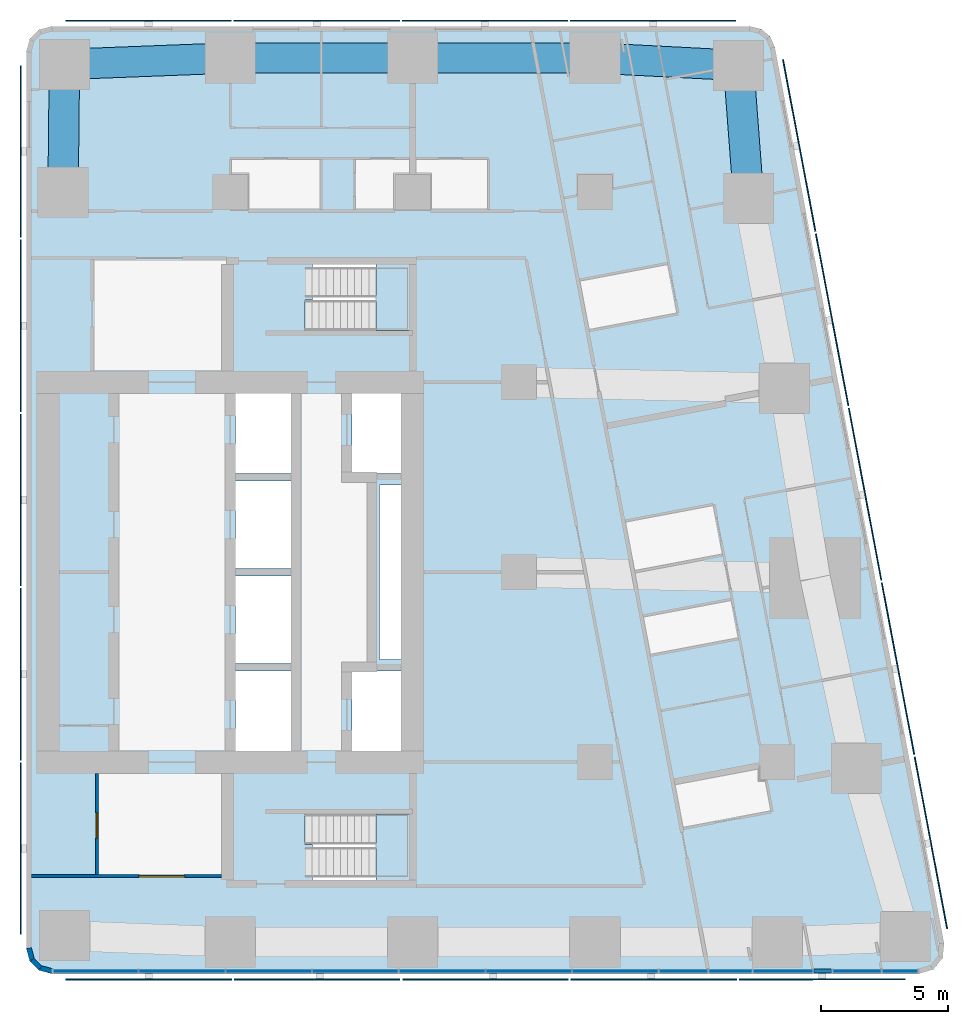
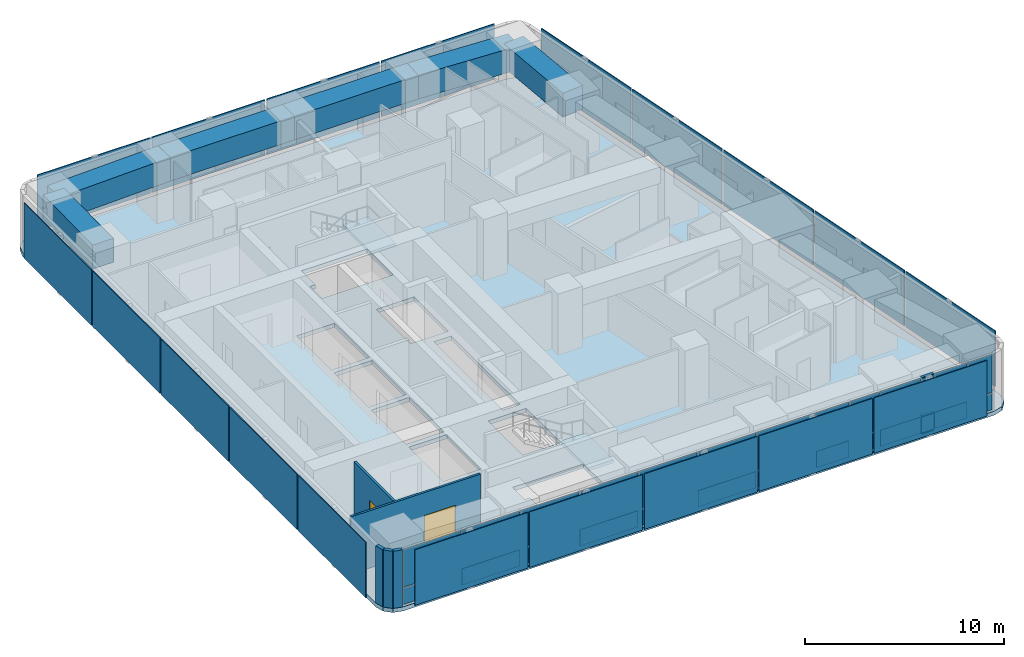
# One storey, part 4 of 11: 45 plates, 6 beams, 5 walls, 3 members, 3 slabs, 2 doors, 2 openings, 3 elements without a shape of their own.
"""IFC4 building model written with IfcOpenShell, lengths in metres."""

from ifc_helpers import new_model, si_unit, direction, frame, frame_2d, origin, origin_2d, place, context, subcontext, project, spatial, polyline, rectangle, outline, extrude, material, layer, layer_set, material_profile, profile_set, type_object, element, fill, aggregate, save


model = new_model("IFC4")

# Units and contexts
model_context = context("Model", 3, precision=1e-05, world=origin(), true_north=direction((0.0, 1.0)))
body_context = subcontext(model_context, "Body", "Model", "MODEL_VIEW")
ifc_project = project(units=[si_unit("LENGTHUNIT", "METRE"), si_unit("AREAUNIT", "SQUARE_METRE"), si_unit("VOLUMEUNIT", "CUBIC_METRE"), si_unit("PLANEANGLEUNIT", "RADIAN"), si_unit("MASSUNIT", "GRAM", prefix="KILO")], contexts=[model_context])

# Site, building, storey
site_placement = place(None, origin())
site = spatial("IfcSite", under=ifc_project, at=site_placement, CompositionType="ELEMENT")
building_placement = place(site_placement, origin())
building = spatial("IfcBuilding", under=site, at=building_placement, Name="Sheger Commons Tower", CompositionType="ELEMENT")
storey_placement = place(building_placement, frame((0.0, 0.0, 277.85009765625)))
storey = spatial("IfcBuildingStorey", under=building, at=storey_placement, Name="L71", CompositionType="ELEMENT", Elevation=277.85009765625)

# Beams
ifc_material_1 = material(Name="Concrete C50/60", Category="concrete")
ifc_material_profile_1 = material_profile(ifc_material_1, rectangle(XDim=1.199951171875, YDim=1.449951171875, at=origin_2d()), Name="RC 1200x1450")
ifc_profile_set_1 = profile_set([ifc_material_profile_1], Name="Concrete C50/60")
beam_type = type_object("IfcBeamType", Name="SPANDREL RC 1200x1450", PredefinedType="SPANDREL", material=ifc_profile_set_1)
beam_1_placement = place(storey_placement, frame((42.06396484375, 37.262939453125, 2.77490234375), z_axis=(-0.075496345854, 0.997146078447, 0.0), x_axis=(-0.997146078447, -0.075496345854, 0.0)))
element("IfcBeam", 1, at=beam_1_placement, inside=storey, type_object=beam_type, Name="Beam E/F-E/G-1.8 under L72", PredefinedType="SPANDREL", context=body_context, shape_type="SweptSolid", body=[
    extrude(rectangle(XDim=1.199951171875, YDim=1.449951171875, at=origin_2d()), origin(), (0.0, 0.0, 1.0), 5.258056640625),
])
beam_2_placement = place(storey_placement, frame((41.6669921875, 42.506103515625, 2.77490234375), z_axis=(-0.998657474351, 0.051800086124, 0.0), x_axis=(-0.051800086124, -0.998657474351, 0.0)))
element("IfcBeam", 2, at=beam_2_placement, inside=storey, type_object=beam_type, Name="Beam E/G-1.8-6/G-1.8 under L72", PredefinedType="SPANDREL", context=body_context, shape_type="SweptSolid", body=[
    extrude(rectangle(XDim=1.199951171875, YDim=1.449951171875, at=origin_2d()), origin(), (0.0, 0.0, 1.0), 5.674560546875),
])
for number, where, z_axis, x_axis, name in (
    (3, (36.0, 42.800048828125, 2.77490234375), (-1.0, 0.0, 0.0), (0.0, -1.0, 0.0), "Beam 6/G-1.8-5/G-1.8 under L72"),
    (4, (28.800048828125, 42.800048828125, 2.77490234375), (-1.0, 0.0, 0.0), (0.0, -1.0, 0.0), "Beam 5/G-1.8-4/G-1.8 under L72"),
):
    element("IfcBeam", number, at=place(storey_placement, frame(where, z_axis=z_axis, x_axis=x_axis)), inside=storey, type_object=beam_type, Name=name, PredefinedType="SPANDREL", context=body_context, shape_type="SweptSolid", body=[
        extrude(rectangle(XDim=1.199951171875, YDim=1.449951171875, at=origin_2d()), origin(), (0.0, 0.0, 1.0), 7.199951171875),
    ])
beam_3_placement = place(storey_placement, frame((21.60009765625, 42.800048828125, 2.77490234375), z_axis=(-0.999247181966, -0.038795223079, 0.0), x_axis=(0.038795223079, -0.999247181966, 0.0)))
element("IfcBeam", 5, at=beam_3_placement, inside=storey, type_object=beam_type, Name="Beam 4/G-1.8-3/G-1.8 under L72", PredefinedType="SPANDREL", context=body_context, shape_type="SweptSolid", body=[
    extrude(rectangle(XDim=1.199951171875, YDim=1.449951171875, at=origin_2d()), origin(), (0.0, 0.0, 1.0), 6.551025390625),
])
beam_4_placement = place(storey_placement, frame((15.053955078125, 42.5458984375, 2.77490234375), z_axis=(-0.010692247282, -0.99994283629, 0.0), x_axis=(0.99994283629, -0.010692247282, 0.0)))
element("IfcBeam", 6, at=beam_4_placement, inside=storey, type_object=beam_type, Name="Beam 3/G-1.8-3/F under L72", PredefinedType="SPANDREL", context=body_context, shape_type="SweptSolid", body=[
    extrude(rectangle(XDim=1.199951171875, YDim=1.449951171875, at=origin_2d()), origin(), (0.0, 0.0, 1.0), 5.046142578125),
])

# Curtain wall, members, plates
ifc_material_2 = material(Name="Black aluminium curtain wall, dark tinted glazing", Category="aluminium")
curtain_wall_type = type_object("IfcCurtainWallType", Name="CURTAIN WALL CW5 SOUTH GALLERY", PredefinedType="USERDEFINED", material=ifc_material_2)
curtain_wall_placement = place(storey_placement, origin())
curtain_wall = element("IfcCurtainWall", 7, at=curtain_wall_placement, inside=storey, type_object=curtain_wall_type, Name="Curtain Wall Cw5 South Gallery S1 L71", ObjectType="UNITISED CURTAIN WALL", PredefinedType="USERDEFINED")
ifc_material_3 = material(Name="Black anodised aluminium", Category="aluminium")
ifc_material_profile_2 = material_profile(ifc_material_3, rectangle(XDim=0.14990234375, YDim=0.06494140625, at=origin_2d()), Name="AL 65x150")
ifc_profile_set_2 = profile_set([ifc_material_profile_2], Name="Black anodised aluminium")
member_type = type_object("IfcMemberType", Name="TRANSOM AL 65x150", PredefinedType="USERDEFINED", material=ifc_profile_set_2)
member_1_placement = place(storey_placement, frame((44.638427734375, 6.75, 0.032470703125), z_axis=(1.0, 0.0, 0.0), x_axis=(0.0, 1.0, 0.0)))
member_1 = element("IfcMember", 8, at=member_1_placement, type_object=member_type, Name="CW5 transom 11.1", ObjectType="TRANSOM", PredefinedType="USERDEFINED", context=body_context, shape_type="SweptSolid", body=[
    extrude(rectangle(XDim=0.14990234375, YDim=0.06494140625, at=origin_2d()), origin(), (0.0, 0.0, 1.0), 0.694091796875),
])
member_2_placement = place(storey_placement, frame((44.638427734375, 6.75, 1.099853515625), z_axis=(1.0, 0.0, 0.0), x_axis=(0.0, 1.0, 0.0)))
member_2 = element("IfcMember", 9, at=member_2_placement, type_object=member_type, Name="CW5 transom 11.2", ObjectType="TRANSOM", PredefinedType="USERDEFINED", context=body_context, shape_type="SweptSolid", body=[
    extrude(rectangle(XDim=0.14990234375, YDim=0.06494140625, at=origin_2d()), origin(), (0.0, 0.0, 1.0), 0.694091796875),
])
member_3_placement = place(storey_placement, frame((44.638427734375, 6.75, 3.46728515625), z_axis=(1.0, 0.0, 0.0), x_axis=(0.0, 1.0, 0.0)))
member_3 = element("IfcMember", 10, at=member_3_placement, type_object=member_type, Name="CW5 transom 11.3", ObjectType="TRANSOM", PredefinedType="USERDEFINED", context=body_context, shape_type="SweptSolid", body=[
    extrude(rectangle(XDim=0.14990234375, YDim=0.06494140625, at=origin_2d()), origin(), (0.0, 0.0, 1.0), 0.694091796875),
])
ifc_material_4 = material(Name="Dark tinted double glazing", Category="glass")
ifc_layer_1 = layer(ifc_material_4, 0.031982421875)
ifc_layer_set_1 = layer_set([ifc_layer_1], Name="GLAZED PANEL 32")
plate_type_1 = type_object("IfcPlateType", Name="GLAZED PANEL 32", PredefinedType="CURTAIN_PANEL", material=ifc_layer_set_1)
plate_1_placement = place(storey_placement, frame((16.290283203125, 6.75, 0.06494140625), z_axis=(0.0, 0.0, 1.0), x_axis=(1.0, 0.0, 0.0)))
plate_1 = element("IfcPlate", 11, at=plate_1_placement, type_object=plate_type_1, Name="CW5 panel 1.1", PredefinedType="CURTAIN_PANEL", context=body_context, shape_type="SweptSolid", body=[
    extrude(rectangle(XDim=3.324462890625, YDim=0.031982421875, at=origin_2d()), origin(), (0.0, 0.0, 1.0), 1.00244140625),
])
plate_2_placement = place(storey_placement, frame((16.290283203125, 6.75, 1.13232421875), z_axis=(0.0, 0.0, 1.0), x_axis=(1.0, 0.0, 0.0)))
plate_2 = element("IfcPlate", 12, at=plate_2_placement, type_object=plate_type_1, Name="CW5 panel 1.2", PredefinedType="CURTAIN_PANEL", context=body_context, shape_type="SweptSolid", body=[
    extrude(rectangle(XDim=3.324462890625, YDim=0.031982421875, at=origin_2d()), origin(), (0.0, 0.0, 1.0), 2.302490234375),
])
plate_3_placement = place(storey_placement, frame((19.696533203125, 6.75, 0.06494140625), z_axis=(0.0, 0.0, 1.0), x_axis=(1.0, 0.0, 0.0)))
plate_3 = element("IfcPlate", 13, at=plate_3_placement, type_object=plate_type_1, Name="CW5 panel 2.1", PredefinedType="CURTAIN_PANEL", context=body_context, shape_type="SweptSolid", body=[
    extrude(rectangle(XDim=3.35791015625, YDim=0.031982421875, at=origin_2d()), origin(), (0.0, 0.0, 1.0), 1.00244140625),
])
plate_4_placement = place(storey_placement, frame((19.696533203125, 6.75, 1.13232421875), z_axis=(0.0, 0.0, 1.0), x_axis=(1.0, 0.0, 0.0)))
plate_4 = element("IfcPlate", 14, at=plate_4_placement, type_object=plate_type_1, Name="CW5 panel 2.2", PredefinedType="CURTAIN_PANEL", context=body_context, shape_type="SweptSolid", body=[
    extrude(rectangle(XDim=3.35791015625, YDim=0.031982421875, at=origin_2d()), origin(), (0.0, 0.0, 1.0), 2.302490234375),
])
plate_5_placement = place(storey_placement, frame((23.118896484375, 6.75, 0.06494140625), z_axis=(0.0, 0.0, 1.0), x_axis=(1.0, 0.0, 0.0)))
plate_5 = element("IfcPlate", 15, at=plate_5_placement, type_object=plate_type_1, Name="CW5 panel 3.1", PredefinedType="CURTAIN_PANEL", context=body_context, shape_type="SweptSolid", body=[
    extrude(rectangle(XDim=3.35693359375, YDim=0.031982421875, at=origin_2d()), origin(), (0.0, 0.0, 1.0), 1.00244140625),
])
plate_6_placement = place(storey_placement, frame((23.118896484375, 6.75, 1.13232421875), z_axis=(0.0, 0.0, 1.0), x_axis=(1.0, 0.0, 0.0)))
plate_6 = element("IfcPlate", 16, at=plate_6_placement, type_object=plate_type_1, Name="CW5 panel 3.2", PredefinedType="CURTAIN_PANEL", context=body_context, shape_type="SweptSolid", body=[
    extrude(rectangle(XDim=3.35693359375, YDim=0.031982421875, at=origin_2d()), origin(), (0.0, 0.0, 1.0), 2.302490234375),
])
plate_7_placement = place(storey_placement, frame((26.54150390625, 6.75, 0.06494140625), z_axis=(0.0, 0.0, 1.0), x_axis=(1.0, 0.0, 0.0)))
plate_7 = element("IfcPlate", 17, at=plate_7_placement, type_object=plate_type_1, Name="CW5 panel 4.1", PredefinedType="CURTAIN_PANEL", context=body_context, shape_type="SweptSolid", body=[
    extrude(rectangle(XDim=3.35791015625, YDim=0.031982421875, at=origin_2d()), origin(), (0.0, 0.0, 1.0), 1.00244140625),
])
plate_8_placement = place(storey_placement, frame((26.54150390625, 6.75, 1.13232421875), z_axis=(0.0, 0.0, 1.0), x_axis=(1.0, 0.0, 0.0)))
plate_8 = element("IfcPlate", 18, at=plate_8_placement, type_object=plate_type_1, Name="CW5 panel 4.2", PredefinedType="CURTAIN_PANEL", context=body_context, shape_type="SweptSolid", body=[
    extrude(rectangle(XDim=3.35791015625, YDim=0.031982421875, at=origin_2d()), origin(), (0.0, 0.0, 1.0), 2.302490234375),
])
plate_9_placement = place(storey_placement, frame((29.964111328125, 6.75, 0.06494140625), z_axis=(0.0, 0.0, 1.0), x_axis=(1.0, 0.0, 0.0)))
plate_9 = element("IfcPlate", 19, at=plate_9_placement, type_object=plate_type_1, Name="CW5 panel 5.1", PredefinedType="CURTAIN_PANEL", context=body_context, shape_type="SweptSolid", body=[
    extrude(rectangle(XDim=3.35693359375, YDim=0.031982421875, at=origin_2d()), origin(), (0.0, 0.0, 1.0), 1.00244140625),
])
plate_10_placement = place(storey_placement, frame((29.964111328125, 6.75, 1.13232421875), z_axis=(0.0, 0.0, 1.0), x_axis=(1.0, 0.0, 0.0)))
plate_10 = element("IfcPlate", 20, at=plate_10_placement, type_object=plate_type_1, Name="CW5 panel 5.2", PredefinedType="CURTAIN_PANEL", context=body_context, shape_type="SweptSolid", body=[
    extrude(rectangle(XDim=3.35693359375, YDim=0.031982421875, at=origin_2d()), origin(), (0.0, 0.0, 1.0), 2.302490234375),
])
plate_11_placement = place(storey_placement, frame((33.385986328125, 6.75, 0.06494140625), z_axis=(0.0, 0.0, 1.0), x_axis=(1.0, 0.0, 0.0)))
plate_11 = element("IfcPlate", 21, at=plate_11_placement, type_object=plate_type_1, Name="CW5 panel 6.1", PredefinedType="CURTAIN_PANEL", context=body_context, shape_type="SweptSolid", body=[
    extrude(rectangle(XDim=3.35693359375, YDim=0.031982421875, at=origin_2d()), origin(), (0.0, 0.0, 1.0), 1.00244140625),
])
plate_12_placement = place(storey_placement, frame((33.385986328125, 6.75, 1.13232421875), z_axis=(0.0, 0.0, 1.0), x_axis=(1.0, 0.0, 0.0)))
plate_12 = element("IfcPlate", 22, at=plate_12_placement, type_object=plate_type_1, Name="CW5 panel 6.2", PredefinedType="CURTAIN_PANEL", context=body_context, shape_type="SweptSolid", body=[
    extrude(rectangle(XDim=3.35693359375, YDim=0.031982421875, at=origin_2d()), origin(), (0.0, 0.0, 1.0), 2.302490234375),
])
plate_13_placement = place(storey_placement, frame((36.80859375, 6.75, 0.06494140625), z_axis=(0.0, 0.0, 1.0), x_axis=(1.0, 0.0, 0.0)))
plate_13 = element("IfcPlate", 23, at=plate_13_placement, type_object=plate_type_1, Name="CW5 panel 7.1", PredefinedType="CURTAIN_PANEL", context=body_context, shape_type="SweptSolid", body=[
    extrude(rectangle(XDim=3.35791015625, YDim=0.031982421875, at=origin_2d()), origin(), (0.0, 0.0, 1.0), 1.00244140625),
])
plate_14_placement = place(storey_placement, frame((36.80859375, 6.75, 1.13232421875), z_axis=(0.0, 0.0, 1.0), x_axis=(1.0, 0.0, 0.0)))
plate_14 = element("IfcPlate", 24, at=plate_14_placement, type_object=plate_type_1, Name="CW5 panel 7.2", PredefinedType="CURTAIN_PANEL", context=body_context, shape_type="SweptSolid", body=[
    extrude(rectangle(XDim=3.35791015625, YDim=0.031982421875, at=origin_2d()), origin(), (0.0, 0.0, 1.0), 2.302490234375),
])
plate_15_placement = place(storey_placement, frame((39.4970703125, 6.75, 0.06494140625), z_axis=(0.0, 0.0, 1.0), x_axis=(1.0, 0.0, 0.0)))
plate_15 = element("IfcPlate", 25, at=plate_15_placement, type_object=plate_type_1, Name="CW5 panel 8.1", PredefinedType="CURTAIN_PANEL", context=body_context, shape_type="SweptSolid", body=[
    extrude(rectangle(XDim=1.888916015625, YDim=0.031982421875, at=origin_2d()), origin(), (0.0, 0.0, 1.0), 1.00244140625),
])
plate_16_placement = place(storey_placement, frame((39.4970703125, 6.75, 1.13232421875), z_axis=(0.0, 0.0, 1.0), x_axis=(1.0, 0.0, 0.0)))
plate_16 = element("IfcPlate", 26, at=plate_16_placement, type_object=plate_type_1, Name="CW5 panel 8.2", PredefinedType="CURTAIN_PANEL", context=body_context, shape_type="SweptSolid", body=[
    extrude(rectangle(XDim=1.888916015625, YDim=0.031982421875, at=origin_2d()), origin(), (0.0, 0.0, 1.0), 2.302490234375),
])
plate_17_placement = place(storey_placement, frame((41.35107421875, 6.75, 0.06494140625), z_axis=(0.0, 0.0, 1.0), x_axis=(1.0, 0.0, 0.0)))
plate_17 = element("IfcPlate", 27, at=plate_17_placement, type_object=plate_type_1, Name="CW5 panel 9.1", PredefinedType="CURTAIN_PANEL", context=body_context, shape_type="SweptSolid", body=[
    extrude(rectangle(XDim=1.68896484375, YDim=0.031982421875, at=origin_2d()), origin(), (0.0, 0.0, 1.0), 1.00244140625),
])
plate_18_placement = place(storey_placement, frame((41.35107421875, 6.75, 1.13232421875), z_axis=(0.0, 0.0, 1.0), x_axis=(1.0, 0.0, 0.0)))
plate_18 = element("IfcPlate", 28, at=plate_18_placement, type_object=plate_type_1, Name="CW5 panel 9.2", PredefinedType="CURTAIN_PANEL", context=body_context, shape_type="SweptSolid", body=[
    extrude(rectangle(XDim=1.68896484375, YDim=0.031982421875, at=origin_2d()), origin(), (0.0, 0.0, 1.0), 2.302490234375),
])
plate_19_placement = place(storey_placement, frame((43.4169921875, 6.75, 0.06494140625), z_axis=(0.0, 0.0, 1.0), x_axis=(1.0, 0.0, 0.0)))
plate_19 = element("IfcPlate", 29, at=plate_19_placement, type_object=plate_type_1, Name="CW5 panel 10.1", PredefinedType="CURTAIN_PANEL", context=body_context, shape_type="SweptSolid", body=[
    extrude(rectangle(XDim=2.31298828125, YDim=0.031982421875, at=origin_2d()), origin(), (0.0, 0.0, 1.0), 1.00244140625),
])
plate_20_placement = place(storey_placement, frame((43.4169921875, 6.75, 1.13232421875), z_axis=(0.0, 0.0, 1.0), x_axis=(1.0, 0.0, 0.0)))
plate_20 = element("IfcPlate", 30, at=plate_20_placement, type_object=plate_type_1, Name="CW5 panel 10.2", PredefinedType="CURTAIN_PANEL", context=body_context, shape_type="SweptSolid", body=[
    extrude(rectangle(XDim=2.31298828125, YDim=0.031982421875, at=origin_2d()), origin(), (0.0, 0.0, 1.0), 2.302490234375),
])
plate_21_placement = place(storey_placement, frame((44.985595703125, 6.75, 0.06494140625), z_axis=(0.0, 0.0, 1.0), x_axis=(1.0, 0.0, 0.0)))
plate_21 = element("IfcPlate", 31, at=plate_21_placement, type_object=plate_type_1, Name="CW5 panel 11.1", PredefinedType="CURTAIN_PANEL", context=body_context, shape_type="SweptSolid", body=[
    extrude(rectangle(XDim=0.694091796875, YDim=0.031982421875, at=origin_2d()), origin(), (0.0, 0.0, 1.0), 1.00244140625),
])
plate_22_placement = place(storey_placement, frame((44.985595703125, 6.75, 1.13232421875), z_axis=(0.0, 0.0, 1.0), x_axis=(1.0, 0.0, 0.0)))
plate_22 = element("IfcPlate", 32, at=plate_22_placement, type_object=plate_type_1, Name="CW5 panel 11.2", PredefinedType="CURTAIN_PANEL", context=body_context, shape_type="SweptSolid", body=[
    extrude(rectangle(XDim=0.694091796875, YDim=0.031982421875, at=origin_2d()), origin(), (0.0, 0.0, 1.0), 2.302490234375),
])
plate_23_placement = place(storey_placement, frame((46.342041015625, 6.75, 0.06494140625), z_axis=(0.0, 0.0, 1.0), x_axis=(1.0, 0.0, 0.0)))
plate_23 = element("IfcPlate", 33, at=plate_23_placement, type_object=plate_type_1, Name="CW5 panel 12.1", PredefinedType="CURTAIN_PANEL", context=body_context, shape_type="SweptSolid", body=[
    extrude(rectangle(XDim=1.888916015625, YDim=0.031982421875, at=origin_2d()), origin(), (0.0, 0.0, 1.0), 1.00244140625),
])
plate_24_placement = place(storey_placement, frame((46.342041015625, 6.75, 1.13232421875), z_axis=(0.0, 0.0, 1.0), x_axis=(1.0, 0.0, 0.0)))
plate_24 = element("IfcPlate", 34, at=plate_24_placement, type_object=plate_type_1, Name="CW5 panel 12.2", PredefinedType="CURTAIN_PANEL", context=body_context, shape_type="SweptSolid", body=[
    extrude(rectangle(XDim=1.888916015625, YDim=0.031982421875, at=origin_2d()), origin(), (0.0, 0.0, 1.0), 2.302490234375),
])
plate_25_placement = place(storey_placement, frame((48.036865234375, 6.75, 0.06494140625), z_axis=(0.0, 0.0, 1.0), x_axis=(1.0, 0.0, 0.0)))
plate_25 = element("IfcPlate", 35, at=plate_25_placement, type_object=plate_type_1, Name="CW5 panel 13.1", PredefinedType="CURTAIN_PANEL", context=body_context, shape_type="SweptSolid", body=[
    extrude(rectangle(XDim=1.37060546875, YDim=0.031982421875, at=origin_2d()), origin(), (0.0, 0.0, 1.0), 1.00244140625),
])
plate_26_placement = place(storey_placement, frame((48.036865234375, 6.75, 1.13232421875), z_axis=(0.0, 0.0, 1.0), x_axis=(1.0, 0.0, 0.0)))
plate_26 = element("IfcPlate", 36, at=plate_26_placement, type_object=plate_type_1, Name="CW5 panel 13.2", PredefinedType="CURTAIN_PANEL", context=body_context, shape_type="SweptSolid", body=[
    extrude(rectangle(XDim=1.37060546875, YDim=0.031982421875, at=origin_2d()), origin(), (0.0, 0.0, 1.0), 2.302490234375),
])
aggregate(curtain_wall, [plate_1, plate_2, plate_3, plate_4, plate_5, plate_6, plate_7, plate_8, plate_9, plate_10, plate_11, plate_12, plate_13, plate_14, plate_15, plate_16, plate_17, plate_18, plate_19, plate_20, member_1, member_2, member_3, plate_21, plate_22, plate_23, plate_24, plate_25, plate_26])

# Slab
ifc_material_5 = material(Name="Concrete C35/45", Category="concrete")
ifc_layer_2 = layer(ifc_material_5, 0.25)
ifc_layer_set_2 = layer_set([ifc_layer_2], Name="SLAB FLOOR 250")
slab_type_1 = type_object("IfcSlabType", Name="SLAB FLOOR 250", PredefinedType="FLOOR", material=ifc_layer_set_2)
slab_1_placement = place(storey_placement, frame((0.0, 0.0, -0.25)))
element("IfcSlab", 37, at=slab_1_placement, inside=storey, type_object=slab_type_1, Name="L71 floor slab", PredefinedType="FLOOR", context=body_context, shape_type="SweptSolid", body=[
    extrude(outline(polyline([(13.550048828125, 7.64990234375), (13.68408203125, 7.14990234375), (14.050048828125, 6.783935546875), (14.550048828125, 6.64990234375), (48.802001953125, 6.64990234375), (49.35498046875, 6.81689453125), (49.72412109375, 7.260986328125), (49.784912109375, 7.8359375), (43.097900390625, 43.236083984375), (42.912109375, 43.654052734375), (42.56005859375, 43.945068359375), (42.114990234375, 44.050048828125), (14.550048828125, 44.050048828125), (14.050048828125, 43.916015625), (13.68408203125, 43.550048828125), (13.550048828125, 43.050048828125), (13.550048828125, 7.64990234375)]), holes=[polyline([(24.85009765625, 10.35009765625), (28.64990234375, 10.35009765625), (28.64990234375, 12.949951171875), (24.551025390625, 12.949951171875), (24.551025390625, 11.75), (24.85009765625, 11.75), (24.85009765625, 10.35009765625)]), polyline([(24.551025390625, 32.050048828125), (28.64990234375, 32.050048828125), (28.64990234375, 34.64990234375), (24.85009765625, 34.64990234375), (24.85009765625, 33.25), (24.551025390625, 33.25), (24.551025390625, 32.050048828125)]), polyline([(26.39990234375, 15.14990234375), (28.60009765625, 15.14990234375), (28.60009765625, 18.60009765625), (26.39990234375, 18.60009765625), (26.39990234375, 15.14990234375)]), polyline([(26.39990234375, 26.39990234375), (28.60009765625, 26.39990234375), (28.60009765625, 29.85009765625), (26.39990234375, 29.85009765625), (26.39990234375, 26.39990234375)]), polyline([(21.800048828125, 15.14990234375), (24.0, 15.14990234375), (24.0, 18.60009765625), (21.800048828125, 18.60009765625), (21.800048828125, 15.14990234375)]), polyline([(21.800048828125, 18.89990234375), (24.0, 18.89990234375), (24.0, 22.35009765625), (21.800048828125, 22.35009765625), (21.800048828125, 18.89990234375)]), polyline([(21.800048828125, 22.64990234375), (24.0, 22.64990234375), (24.0, 26.10009765625), (21.800048828125, 26.10009765625), (21.800048828125, 22.64990234375)]), polyline([(21.800048828125, 26.39990234375), (24.0, 26.39990234375), (24.0, 29.85009765625), (21.800048828125, 29.85009765625), (21.800048828125, 26.39990234375)]), polyline([(27.5, 19.050048828125), (28.5, 19.050048828125), (28.5, 25.949951171875), (27.5, 25.949951171875), (27.5, 19.050048828125)])]), origin(), (0.0, 0.0, 1.0), 0.25),
])

# Plates
ifc_material_6 = material(Name="Perforated black anodised aluminium screen", Category="aluminium")
ifc_layer_3 = layer(ifc_material_6, 0.050048828125)
ifc_layer_set_3 = layer_set([ifc_layer_3], Name="SOLAR SCREEN SCREEN-1")
plate_type_2 = type_object("IfcPlateType", Name="SOLAR SCREEN SCREEN-1", PredefinedType="USERDEFINED", material=ifc_layer_set_3)
for number, where, z_axis, x_axis, name in (
    (38, (18.375, 6.425048828125, 0.050048828125), (0.0, 0.0, 1.0), (1.0, 0.0, 0.0), "Perforated solar screen panel"),
    (39, (25.02587890625, 6.425048828125, 0.050048828125), (0.0, 0.0, 1.0), (1.0, 0.0, 0.0), "Perforated solar screen panel"),
    (40, (31.676025390625, 6.425048828125, 0.050048828125), (0.0, 0.0, 1.0), (1.0, 0.0, 0.0), "Perforated solar screen panel"),
    (41, (38.325927734375, 6.425048828125, 0.050048828125), (0.0, 0.0, 1.0), (1.0, 0.0, 0.0), "Perforated solar screen panel"),
    (42, (44.97705078125, 6.425048828125, 0.050048828125), (0.0, 0.0, 1.0), (1.0, 0.0, 0.0), "Perforated solar screen panel"),
):
    element("IfcPlate", number, at=place(storey_placement, frame(where, z_axis=z_axis, x_axis=x_axis)), inside=storey, type_object=plate_type_2, Name=name, ObjectType="SCREEN", PredefinedType="USERDEFINED", context=body_context, shape_type="SweptSolid", body=[
        extrude(rectangle(XDim=6.550048828125, YDim=0.050048828125, at=origin_2d()), origin(), (0.0, 0.0, 1.0), 3.39990234375),
    ])
for number, where, z_axis, x_axis, name in (
    (43, (49.262939453125, 11.81103515625, 0.050048828125), (0.0, 0.0, 1.0), (-0.185615165645, 0.982622516678, 0.0), "Perforated solar screen panel"),
    (44, (47.962890625, 18.694091796875, 0.050048828125), (0.0, 0.0, 1.0), (-0.185615165645, 0.982622516678, 0.0), "Perforated solar screen panel"),
    (45, (46.6630859375, 25.577880859375, 0.050048828125), (0.0, 0.0, 1.0), (-0.185615165645, 0.982622516678, 0.0), "Perforated solar screen panel"),
    (46, (45.362060546875, 32.4609375, 0.050048828125), (0.0, 0.0, 1.0), (-0.185615165645, 0.982622516678, 0.0), "Perforated solar screen panel"),
    (47, (44.06201171875, 39.344970703125, 0.050048828125), (0.0, 0.0, 1.0), (-0.185615165645, 0.982622516678, 0.0), "Perforated solar screen panel"),
):
    element("IfcPlate", number, at=place(storey_placement, frame(where, z_axis=z_axis, x_axis=x_axis)), inside=storey, type_object=plate_type_2, Name=name, ObjectType="SCREEN", PredefinedType="USERDEFINED", context=body_context, shape_type="SweptSolid", body=[
        extrude(rectangle(XDim=6.905029296875, YDim=0.050048828125, at=origin_2d()), origin(), (0.0, 0.0, 1.0), 3.39990234375),
    ])
for number, where, z_axis, x_axis, name in (
    (48, (38.2939453125, 44.27490234375, 0.050048828125), (0.0, 0.0, 1.0), (-1.0, 0.0, 0.0), "Perforated solar screen panel"),
    (49, (31.653076171875, 44.27490234375, 0.050048828125), (0.0, 0.0, 1.0), (-1.0, 0.0, 0.0), "Perforated solar screen panel"),
    (50, (25.011962890625, 44.27490234375, 0.050048828125), (0.0, 0.0, 1.0), (-1.0, 0.0, 0.0), "Perforated solar screen panel"),
    (51, (18.37109375, 44.27490234375, 0.050048828125), (0.0, 0.0, 1.0), (-1.0, 0.0, 0.0), "Perforated solar screen panel"),
):
    element("IfcPlate", number, at=place(storey_placement, frame(where, z_axis=z_axis, x_axis=x_axis)), inside=storey, type_object=plate_type_2, Name=name, ObjectType="SCREEN", PredefinedType="USERDEFINED", context=body_context, shape_type="SweptSolid", body=[
        extrude(rectangle(XDim=6.541015625, YDim=0.050048828125, at=origin_2d()), origin(), (0.0, 0.0, 1.0), 3.39990234375),
    ])
for number, where, z_axis, x_axis, name in (
    (52, (13.324951171875, 39.110107421875, 0.050048828125), (0.0, 0.0, 1.0), (0.0, -1.0, 0.0), "Perforated solar screen panel"),
    (53, (13.324951171875, 32.22998046875, 0.050048828125), (0.0, 0.0, 1.0), (0.0, -1.0, 0.0), "Perforated solar screen panel"),
    (54, (13.324951171875, 25.35009765625, 0.050048828125), (0.0, 0.0, 1.0), (0.0, -1.0, 0.0), "Perforated solar screen panel"),
    (55, (13.324951171875, 18.469970703125, 0.050048828125), (0.0, 0.0, 1.0), (0.0, -1.0, 0.0), "Perforated solar screen panel"),
    (56, (13.324951171875, 11.590087890625, 0.050048828125), (0.0, 0.0, 1.0), (0.0, -1.0, 0.0), "Perforated solar screen panel"),
):
    element("IfcPlate", number, at=place(storey_placement, frame(where, z_axis=z_axis, x_axis=x_axis)), inside=storey, type_object=plate_type_2, Name=name, ObjectType="SCREEN", PredefinedType="USERDEFINED", context=body_context, shape_type="SweptSolid", body=[
        extrude(rectangle(XDim=6.780029296875, YDim=0.050048828125, at=origin_2d()), origin(), (0.0, 0.0, 1.0), 3.39990234375),
    ])

# Stair, slab
ifc_material_7 = material(Name="Concrete C35/45", Category="concrete")
stair_type = type_object("IfcStairType", Name="HALF-TURN STAIR 1200 RISE 3750", PredefinedType="HALF_TURN_STAIR", material=ifc_material_7)
stair_1_placement = place(storey_placement, origin())
stair_1 = element("IfcStair", 57, at=stair_1_placement, inside=storey, type_object=stair_type, Name="Stair S1 L71", PredefinedType="HALF_TURN_STAIR")
ifc_material_8 = material(Name="Concrete C35/45", Category="concrete")
ifc_layer_4 = layer(ifc_material_8, 0.199951171875)
ifc_layer_set_4 = layer_set([ifc_layer_4], Name="STAIR LANDING 200")
slab_type_2 = type_object("IfcSlabType", Name="STAIR LANDING 200", PredefinedType="LANDING", material=ifc_layer_set_4)
slab_2_placement = place(storey_placement, frame((0.0, 0.0, 1.6748046875)))
slab_2 = element("IfcSlab", 58, at=slab_2_placement, type_object=slab_type_2, Name="S1 landing 1", PredefinedType="LANDING", context=body_context, shape_type="SweptSolid", body=[
    extrude(outline(polyline([(27.35009765625, 10.199951171875), (28.800048828125, 10.199951171875), (28.800048828125, 12.949951171875), (27.35009765625, 12.949951171875), (27.35009765625, 10.199951171875)])), origin(), (0.0, 0.0, 1.0), 0.2001953125),
])
aggregate(stair_1, [slab_2])

stair_2_placement = place(storey_placement, origin())
stair_2 = element("IfcStair", 59, at=stair_2_placement, inside=storey, type_object=stair_type, Name="Stair S2 L71", PredefinedType="HALF_TURN_STAIR")
slab_3_placement = place(storey_placement, frame((0.0, 0.0, 1.6748046875)))
slab_3 = element("IfcSlab", 60, at=slab_3_placement, type_object=slab_type_2, Name="S2 landing 1", PredefinedType="LANDING", context=body_context, shape_type="SweptSolid", body=[
    extrude(outline(polyline([(27.35009765625, 32.050048828125), (28.800048828125, 32.050048828125), (28.800048828125, 34.800048828125), (27.35009765625, 34.800048828125), (27.35009765625, 32.050048828125)])), origin(), (0.0, 0.0, 1.0), 0.2001953125),
])
aggregate(stair_2, [slab_3])

# Walls
ifc_material_9 = material(Name="Rendered concrete block masonry, dark grey", Category="masonry")
ifc_layer_5 = layer(ifc_material_9, 0.199951171875)
ifc_layer_set_5 = layer_set([ifc_layer_5], Name="FACADE WALL 200")
wall_type_1 = type_object("IfcWallType", Name="FACADE WALL 200", PredefinedType="SOLIDWALL", material=ifc_layer_set_5)
wall_1_placement = place(storey_placement, frame((13.64990234375, 7.6630859375, 0.0), z_axis=(0.0, 0.0, 1.0), x_axis=(0.259698463175, -0.965689757751, 0.0)))
element("IfcWall", 61, at=wall_1_placement, inside=storey, type_object=wall_type_1, Name="Facade wall L71", PredefinedType="SOLIDWALL", context=body_context, shape_type="SweptSolid", body=[
    extrude(rectangle(XDim=0.4775390625, YDim=0.199951171875, at=frame_2d((0.23876953125, 0.0))), origin(), (0.0, 0.0, 1.0), 3.5),
])
wall_2_placement = place(storey_placement, frame((13.77392578125, 7.201904296875, 0.0), z_axis=(0.0, 0.0, 1.0), x_axis=(0.707369890659, -0.706843573776, 0.0)))
element("IfcWall", 62, at=wall_2_placement, inside=storey, type_object=wall_type_1, Name="Facade wall L71", PredefinedType="SOLIDWALL", context=body_context, shape_type="SweptSolid", body=[
    extrude(rectangle(XDim=0.4638671875, YDim=0.199951171875, at=frame_2d((0.23193359375, 0.0))), origin(), (0.0, 0.0, 1.0), 3.5),
])
wall_3_placement = place(storey_placement, frame((14.10205078125, 6.8740234375, 0.0), z_axis=(0.0, 0.0, 1.0), x_axis=(0.965655254015, -0.259826731483, 0.0)))
element("IfcWall", 63, at=wall_3_placement, inside=storey, type_object=wall_type_1, Name="Facade wall L71", PredefinedType="SOLIDWALL", context=body_context, shape_type="SweptSolid", body=[
    extrude(rectangle(XDim=0.477294921875, YDim=0.199951171875, at=frame_2d((0.23876953125, 0.0))), origin(), (0.0, 0.0, 1.0), 3.5),
])

# Wall, opening, door
ifc_material_10 = material(Name="Gypsum board on steel studs, two layers each side, fire rated", Category="steel")
ifc_layer_6 = layer(ifc_material_10, 0.125)
ifc_layer_set_6 = layer_set([ifc_layer_6], Name="SERVICE WALL 125")
wall_type_2 = type_object("IfcWallType", Name="SERVICE WALL 125", PredefinedType="PARTITIONING", material=ifc_layer_set_6)
wall_4_placement = place(storey_placement, frame((13.75, 10.5, 0.0), z_axis=(0.0, 0.0, 1.0), x_axis=(1.0, 0.0, 0.0)))
wall_4 = element("IfcWall", 64, at=wall_4_placement, inside=storey, type_object=wall_type_2, Name="Service room wall L71", PredefinedType="PARTITIONING", context=body_context, shape_type="SweptSolid", body=[
    extrude(rectangle(XDim=7.5, YDim=0.125, at=frame_2d((3.75, 0.0))), origin(), (0.0, 0.0, 1.0), 3.5),
])
opening_1_placement = place(wall_4_placement, frame((4.2451171875, 0.0, 0.0)))
opening_1 = element("IfcOpeningElement", 65, at=opening_1_placement, cuts=wall_4, Name="Opening D6", PredefinedType="OPENING", context=body_context, shape_type="SweptSolid", body=[
    extrude(rectangle(XDim=1.800048828125, YDim=2.10009765625, at=frame_2d((0.89990234375, 1.050048828125))), frame((0.0, 0.072509765625, 0.0), z_axis=(0.0, -1.0, 0.0), x_axis=(1.0, 0.0, 0.0)), (0.0, 0.0, 1.0), 0.14501953125),
])
ifc_material_11 = material(Name="Steel door set, fire rated", Category="steel")
door_type_1 = type_object("IfcDoorType", Name="LOBBY DOUBLE DOOR 1800x2100", OperationType="DOUBLE_DOOR_SINGLE_SWING", PredefinedType="DOOR", material=ifc_material_11)
door_1_placement = place(opening_1_placement, origin())
door_1 = element("IfcDoor", 66, at=door_1_placement, inside=storey, type_object=door_type_1, Name="Lift lobby south door", OperationType="DOUBLE_DOOR_SINGLE_SWING", OverallHeight=2.10009765625, OverallWidth=1.800048828125, PredefinedType="DOOR", context=body_context, shape_type="SweptSolid", body=[
    extrude(rectangle(XDim=1.800048828125, YDim=2.10009765625, at=frame_2d((0.89990234375, 1.050048828125))), frame((0.0, 0.02490234375, 0.0), z_axis=(0.0, -1.0, 0.0), x_axis=(1.0, 0.0, 0.0)), (0.0, 0.0, 1.0), 0.050048828125),
])
fill(opening_1, door_1)

wall_5_placement = place(storey_placement, frame((16.340087890625, 10.56201171875, 0.0), z_axis=(0.0, 0.0, 1.0), x_axis=(0.0, 1.0, 0.0)))
wall_5 = element("IfcWall", 67, at=wall_5_placement, inside=storey, type_object=wall_type_2, Name="Service room wall L71", PredefinedType="PARTITIONING", context=body_context, shape_type="SweptSolid", body=[
    extrude(rectangle(XDim=3.988037109375, YDim=0.125, at=frame_2d((1.994140625, 0.0))), origin(), (0.0, 0.0, 1.0), 3.5),
])
opening_2_placement = place(wall_5_placement, frame((1.43798828125, 0.0, 0.0)))
opening_2 = element("IfcOpeningElement", 68, at=opening_2_placement, cuts=wall_5, Name="Opening D4", PredefinedType="OPENING", context=body_context, shape_type="SweptSolid", body=[
    extrude(rectangle(XDim=1.0, YDim=2.10009765625, at=frame_2d((0.5, 1.050048828125))), frame((0.0, 0.072509765625, 0.0), z_axis=(0.0, -1.0, 0.0), x_axis=(1.0, 0.0, 0.0)), (0.0, 0.0, 1.0), 0.14501953125),
])
ifc_material_12 = material(Name="Steel door set, fire rated", Category="steel")
door_type_2 = type_object("IfcDoorType", Name="SERVICE DOOR 1000x2100", OperationType="NOTDEFINED", PredefinedType="DOOR", material=ifc_material_12)
door_2_placement = place(opening_2_placement, origin())
door_2 = element("IfcDoor", 69, at=door_2_placement, inside=storey, type_object=door_type_2, Name="Electrical room door", OperationType="SINGLE_SWING_LEFT", OverallHeight=2.10009765625, OverallWidth=1.0, PredefinedType="DOOR", context=body_context, shape_type="SweptSolid", body=[
    extrude(rectangle(XDim=1.0, YDim=2.10009765625, at=frame_2d((0.5, 1.050048828125))), frame((0.0, 0.02490234375, 0.0), z_axis=(0.0, -1.0, 0.0), x_axis=(1.0, 0.0, 0.0)), (0.0, 0.0, 1.0), 0.050048828125),
])
fill(opening_2, door_2)

save(model, "model.ifc")
